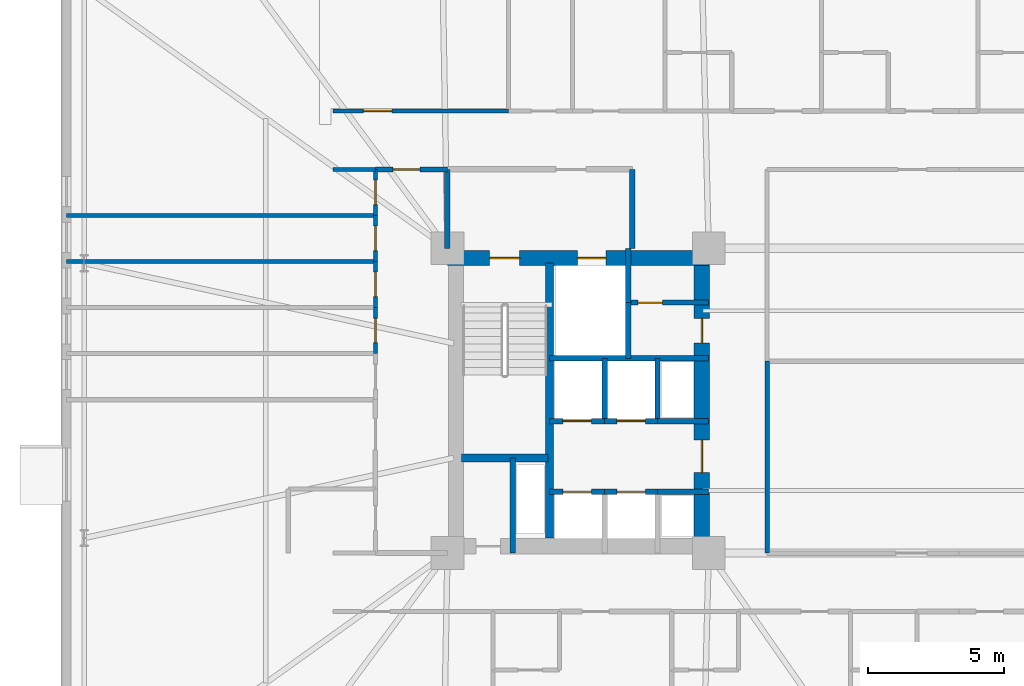
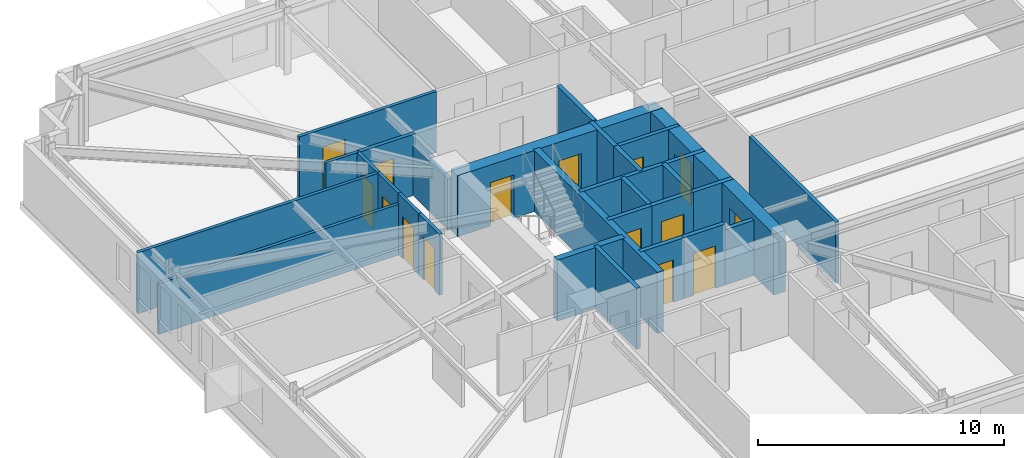
# One storey, part 15 of 22: 29 walls, 15 doors, 15 openings.
"""IFC4 building model written with IfcOpenShell, lengths in metres."""

from ifc_helpers import new_model, si_unit, direction, frame, frame_2d, origin, place, context, subcontext, project, spatial, rectangle, extrude, material, layer, layer_set, type_object, element, fill, save


model = new_model("IFC4")

# Units and contexts
model_context = context("Model", 3, precision=1e-05, world=origin(), true_north=direction((0.0, 1.0)))
body_context = subcontext(model_context, "Body", "Model", "MODEL_VIEW")
ifc_project = project(units=[si_unit("LENGTHUNIT", "METRE"), si_unit("AREAUNIT", "SQUARE_METRE"), si_unit("VOLUMEUNIT", "CUBIC_METRE"), si_unit("PLANEANGLEUNIT", "RADIAN"), si_unit("MASSUNIT", "GRAM", prefix="KILO")], contexts=[model_context])

# Site, building, storey
site_placement = place(None, origin())
site = spatial("IfcSite", under=ifc_project, at=site_placement, CompositionType="ELEMENT")
building_placement = place(site_placement, origin())
building = spatial("IfcBuilding", under=site, at=building_placement, Name="Qobustan Lattice House", CompositionType="ELEMENT")
storey_placement = place(building_placement, frame((0.0, 0.0, 60.5)))
storey = spatial("IfcBuildingStorey", under=building, at=storey_placement, Name="L16", CompositionType="ELEMENT", Elevation=60.5)

# Wall, openings, doors
ifc_material_1 = material(Name="Concrete C60/75", Category="concrete")
ifc_layer_1 = layer(ifc_material_1, 0.56005859375)
ifc_layer_set_1 = layer_set([ifc_layer_1], Name="Concrete C60/75")
wall_type_1 = type_object("IfcWallType", Name="WAL-CORE-600", PredefinedType="SHEAR", material=ifc_layer_set_1)
wall_1_placement = place(storey_placement, frame((-18.800048828125, 5.239990234375, 0.0), z_axis=(0.0, 0.0, 1.0), x_axis=(1.0, 0.0, 0.0)))
wall_1 = element("IfcWall", 1, at=wall_1_placement, inside=storey, type_object=wall_type_1, Name="L16 split-core shear wall CW-N", PredefinedType="SHEAR", context=body_context, shape_type="SweptSolid", body=[
    extrude(rectangle(XDim=9.60009765625, YDim=0.56005859375, at=frame_2d((4.800048828125, 0.0))), origin(), (0.0, 0.0, 1.0), 3.034912109375),
])
opening_1_placement = place(wall_1_placement, frame((1.550048828125, 0.0, 0.0)))
opening_1 = element("IfcOpeningElement", 2, at=opening_1_placement, cuts=wall_1, Name="Opening SD-01", PredefinedType="OPENING", context=body_context, shape_type="SweptSolid", body=[
    extrude(rectangle(XDim=1.10009765625, YDim=2.14990234375, at=frame_2d((0.550048828125, 1.074951171875))), frame((0.0, 0.2900390625, 0.0), z_axis=(0.0, -1.0, 0.0), x_axis=(1.0, 0.0, 0.0)), (0.0, 0.0, 1.0), 0.580078125),
])
opening_2_placement = place(wall_1_placement, frame((4.77490234375, 0.0, 0.0)))
opening_2 = element("IfcOpeningElement", 3, at=opening_2_placement, cuts=wall_1, Name="Opening LD-01", PredefinedType="OPENING", context=body_context, shape_type="SweptSolid", body=[
    extrude(rectangle(XDim=1.050048828125, YDim=2.10009765625, at=frame_2d((0.52490234375, 1.050048828125))), frame((0.0, 0.2900390625, 0.0), z_axis=(0.0, -1.0, 0.0), x_axis=(1.0, 0.0, 0.0)), (0.0, 0.0, 1.0), 0.580078125),
])
ifc_material_2 = material(Name="Persian walnut timber and steel frame door", Category="steel")
door_type_1 = type_object("IfcDoorType", Name="DOR-LIFT-LD-1050x2100", OperationType="NOTDEFINED", PredefinedType="DOOR", material=ifc_material_2)
door_1_placement = place(opening_2_placement, origin())
door_1 = element("IfcDoor", 4, at=door_1_placement, inside=storey, type_object=door_type_1, Name="L16 firefighting lift FF-W landing door", OperationType="DOUBLE_DOOR_SLIDING", OverallHeight=2.10009765625, OverallWidth=1.050048828125, PredefinedType="DOOR", context=body_context, shape_type="SweptSolid", body=[
    extrude(rectangle(XDim=1.050048828125, YDim=2.10009765625, at=frame_2d((0.52490234375, 1.050048828125))), frame((0.0, 0.02490234375, 0.0), z_axis=(0.0, -1.0, 0.0), x_axis=(1.0, 0.0, 0.0)), (0.0, 0.0, 1.0), 0.050048828125),
])
fill(opening_2, door_1)
ifc_material_3 = material(Name="Persian walnut timber and steel frame door", Category="steel")
door_type_2 = type_object("IfcDoorType", Name="DOR-STAIR-FD-1100x2150", OperationType="NOTDEFINED", PredefinedType="DOOR", material=ifc_material_3)
door_2_placement = place(opening_1_placement, origin())
door_2 = element("IfcDoor", 5, at=door_2_placement, inside=storey, type_object=door_type_2, Name="L16 exit stair ST-W1 fire door", OperationType="SINGLE_SWING_RIGHT", OverallHeight=2.14990234375, OverallWidth=1.10009765625, PredefinedType="DOOR", context=body_context, shape_type="SweptSolid", body=[
    extrude(rectangle(XDim=1.10009765625, YDim=2.14990234375, at=frame_2d((0.550048828125, 1.074951171875))), frame((0.0, 0.02490234375, 0.0), z_axis=(0.0, -1.0, 0.0), x_axis=(1.0, 0.0, 0.0)), (0.0, 0.0, 1.0), 0.050048828125),
])
fill(opening_1, door_2)

wall_2_placement = place(storey_placement, frame((-9.449951171875, -5.050048828125, 0.0), z_axis=(0.0, 0.0, 1.0), x_axis=(0.0, 1.0, 0.0)))
wall_2 = element("IfcWall", 6, at=wall_2_placement, inside=storey, type_object=wall_type_1, Name="L16 split-core shear wall CW-E", PredefinedType="SHEAR", context=body_context, shape_type="SweptSolid", body=[
    extrude(rectangle(XDim=10.10009765625, YDim=0.56005859375, at=frame_2d((5.050048828125, 0.0))), origin(), (0.0, 0.0, 1.0), 3.034912109375),
])
opening_3_placement = place(wall_2_placement, frame((7.175048828125, 0.0, 0.0)))
opening_3 = element("IfcOpeningElement", 7, at=opening_3_placement, cuts=wall_2, Name="Opening RD-01", PredefinedType="OPENING", context=body_context, shape_type="SweptSolid", body=[
    extrude(rectangle(XDim=0.89990234375, YDim=2.10009765625, at=frame_2d((0.449951171875, 1.050048828125))), frame((0.0, 0.2900390625, 0.0), z_axis=(0.0, -1.0, 0.0), x_axis=(1.0, 0.0, 0.0)), (0.0, 0.0, 1.0), 0.580078125),
])
opening_4_placement = place(wall_2_placement, frame((2.39990234375, 0.0, 0.0)))
opening_4 = element("IfcOpeningElement", 8, at=opening_4_placement, cuts=wall_2, Name="Opening FD-01", PredefinedType="OPENING", context=body_context, shape_type="SweptSolid", body=[
    extrude(rectangle(XDim=1.199951171875, YDim=2.14990234375, at=frame_2d((0.60009765625, 1.074951171875))), frame((0.0, 0.2900390625, 0.0), z_axis=(0.0, -1.0, 0.0), x_axis=(1.0, 0.0, 0.0)), (0.0, 0.0, 1.0), 0.580078125),
])
ifc_material_4 = material(Name="Persian walnut timber and steel frame door", Category="steel")
door_type_3 = type_object("IfcDoorType", Name="DOR-LOBBY-FD-1200x2150", OperationType="NOTDEFINED", PredefinedType="DOOR", material=ifc_material_4)
door_3_placement = place(opening_4_placement, origin())
door_3 = element("IfcDoor", 9, at=door_3_placement, inside=storey, type_object=door_type_3, Name="L16 West passenger lift lobby fire door", OperationType="SINGLE_SWING_LEFT", OverallHeight=2.14990234375, OverallWidth=1.199951171875, PredefinedType="DOOR", context=body_context, shape_type="SweptSolid", body=[
    extrude(rectangle(XDim=1.199951171875, YDim=2.14990234375, at=frame_2d((0.60009765625, 1.074951171875))), frame((0.0, 0.02490234375, 0.0), z_axis=(0.0, -1.0, 0.0), x_axis=(1.0, 0.0, 0.0)), (0.0, 0.0, 1.0), 0.050048828125),
])
fill(opening_4, door_3)
ifc_material_5 = material(Name="Persian walnut timber and steel frame door", Category="steel")
door_type_4 = type_object("IfcDoorType", Name="DOR-RISER-FD-900x2100", OperationType="NOTDEFINED", PredefinedType="DOOR", material=ifc_material_5)
door_4_placement = place(opening_3_placement, origin())
door_4 = element("IfcDoor", 10, at=door_4_placement, inside=storey, type_object=door_type_4, Name="L16 Core utility lobby fire door", OperationType="SINGLE_SWING_RIGHT", OverallHeight=2.10009765625, OverallWidth=0.89990234375, PredefinedType="DOOR", context=body_context, shape_type="SweptSolid", body=[
    extrude(rectangle(XDim=0.89990234375, YDim=2.10009765625, at=frame_2d((0.449951171875, 1.050048828125))), frame((0.0, 0.02490234375, 0.0), z_axis=(0.0, -1.0, 0.0), x_axis=(1.0, 0.0, 0.0)), (0.0, 0.0, 1.0), 0.050048828125),
])
fill(opening_3, door_4)

# Walls
ifc_material_6 = material(Name="Concrete C50/60", Category="concrete")
ifc_layer_2 = layer(ifc_material_6, 0.280029296875)
ifc_layer_set_2 = layer_set([ifc_layer_2], Name="Concrete C50/60")
wall_type_2 = type_object("IfcWallType", Name="WAL-CORE-SPINE-280", PredefinedType="SHEAR", material=ifc_layer_set_2)
wall_3_placement = place(storey_placement, frame((-15.050048828125, -5.050048828125, 0.0), z_axis=(0.0, 0.0, 1.0), x_axis=(0.0, 1.0, 0.0)))
element("IfcWall", 11, at=wall_3_placement, inside=storey, type_object=wall_type_2, Name="L16 split-core shear wall CW-M", PredefinedType="SHEAR", context=body_context, shape_type="SweptSolid", body=[
    extrude(rectangle(XDim=10.10009765625, YDim=0.300048828125, at=frame_2d((5.050048828125, 0.0))), origin(), (0.0, 0.0, 1.0), 3.034912109375),
])
wall_4_placement = place(storey_placement, frame((-18.280029296875, -2.110107421875, 0.0), z_axis=(0.0, 0.0, 1.0), x_axis=(1.0, 0.0, 0.0)))
element("IfcWall", 12, at=wall_4_placement, inside=storey, type_object=wall_type_2, Name="L16 split-core shear wall CW-ST", PredefinedType="SHEAR", context=body_context, shape_type="SweptSolid", body=[
    extrude(rectangle(XDim=3.179931640625, YDim=0.300048828125, at=frame_2d((1.58984375, 0.0))), origin(), (0.0, 0.0, 1.0), 3.034912109375),
])

# Wall, opening, door
ifc_material_7 = material(Name="Gypsum fireboard acoustic partition", Category="gypsum")
ifc_layer_3 = layer(ifc_material_7, 0.179931640625)
ifc_layer_set_3 = layer_set([ifc_layer_3], Name="Gypsum fireboard acoustic partition")
wall_type_3 = type_object("IfcWallType", Name="WAL-FIRE-180", PredefinedType="PARTITIONING", material=ifc_layer_set_3)
wall_5_placement = place(storey_placement, frame((-9.199951171875, 3.60009765625, 0.0), z_axis=(0.0, 0.0, 1.0), x_axis=(-1.0, 0.0, 0.0)))
wall_5 = element("IfcWall", 13, at=wall_5_placement, inside=storey, type_object=wall_type_3, Name="L16 interior partition 7", PredefinedType="PARTITIONING", context=body_context, shape_type="SweptSolid", body=[
    extrude(rectangle(XDim=2.949951171875, YDim=0.179931640625, at=frame_2d((1.47509765625, 0.0))), origin(), (0.0, 0.0, 1.0), 3.034912109375),
])
opening_5_placement = place(wall_5_placement, frame((1.699951171875, 0.0, 0.0)))
opening_5 = element("IfcOpeningElement", 14, at=opening_5_placement, cuts=wall_5, Name="Opening RD-01", PredefinedType="OPENING", context=body_context, shape_type="SweptSolid", body=[
    extrude(rectangle(XDim=0.89990234375, YDim=2.10009765625, at=frame_2d((0.449951171875, 1.050048828125))), frame((0.0, 0.099853515625, 0.0), z_axis=(0.0, -1.0, 0.0), x_axis=(1.0, 0.0, 0.0)), (0.0, 0.0, 1.0), 0.199951171875),
])
door_5_placement = place(opening_5_placement, origin())
door_5 = element("IfcDoor", 15, at=door_5_placement, inside=storey, type_object=door_type_4, Name="L16 Core utility lobby to Cleaner store door", OperationType="SINGLE_SWING_LEFT", OverallHeight=2.10009765625, OverallWidth=0.89990234375, PredefinedType="DOOR", context=body_context, shape_type="SweptSolid", body=[
    extrude(rectangle(XDim=0.89990234375, YDim=2.10009765625, at=frame_2d((0.449951171875, 1.050048828125))), frame((0.0, 0.02490234375, 0.0), z_axis=(0.0, -1.0, 0.0), x_axis=(1.0, 0.0, 0.0)), (0.0, 0.0, 1.0), 0.050048828125),
])
fill(opening_5, door_5)

wall_6_placement = place(storey_placement, frame((-18.800048828125, 8.5, 0.0), z_axis=(0.0, 0.0, 1.0), x_axis=(-1.0, 0.0, 0.0)))
wall_6 = element("IfcWall", 16, at=wall_6_placement, inside=storey, type_object=wall_type_3, Name="L16 interior partition 37", PredefinedType="PARTITIONING", context=body_context, shape_type="SweptSolid", body=[
    extrude(rectangle(XDim=2.64990234375, YDim=0.179931640625, at=frame_2d((1.324951171875, 0.0))), origin(), (0.0, 0.0, 1.0), 3.034912109375),
])
opening_6_placement = place(wall_6_placement, frame((1.0087890625, 0.0, 0.0)))
opening_6 = element("IfcOpeningElement", 17, at=opening_6_placement, cuts=wall_6, Name="Opening FD-02", PredefinedType="OPENING", context=body_context, shape_type="SweptSolid", body=[
    extrude(rectangle(XDim=1.0, YDim=2.14990234375, at=frame_2d((0.5, 1.074951171875))), frame((0.0, 0.099853515625, 0.0), z_axis=(0.0, -1.0, 0.0), x_axis=(1.0, 0.0, 0.0)), (0.0, 0.0, 1.0), 0.199951171875),
])
ifc_material_8 = material(Name="Persian walnut timber and steel frame door", Category="steel")
door_type_5 = type_object("IfcDoorType", Name="DOR-UNIT-FD-1000x2150", OperationType="NOTDEFINED", PredefinedType="DOOR", material=ifc_material_8)
door_6_placement = place(opening_6_placement, origin())
door_6 = element("IfcDoor", 18, at=door_6_placement, inside=storey, type_object=door_type_5, Name="L16 North-west floor corridor to Residence entrance hall L16W door", OperationType="SINGLE_SWING_LEFT", OverallHeight=2.14990234375, OverallWidth=1.0, PredefinedType="DOOR", context=body_context, shape_type="SweptSolid", body=[
    extrude(rectangle(XDim=1.0, YDim=2.14990234375, at=frame_2d((0.5, 1.074951171875))), frame((0.0, 0.02490234375, 0.0), z_axis=(0.0, -1.0, 0.0), x_axis=(1.0, 0.0, 0.0)), (0.0, 0.0, 1.0), 0.050048828125),
])
fill(opening_6, door_6)

# Wall
ifc_material_9 = material(Name="Acoustic twin-stud gypsum partition", Category="gypsum")
ifc_layer_4 = layer(ifc_material_9, 0.14990234375)
ifc_layer_set_4 = layer_set([ifc_layer_4], Name="Acoustic twin-stud gypsum partition")
wall_type_4 = type_object("IfcWallType", Name="WAL-PART-150", PredefinedType="PARTITIONING", material=ifc_layer_set_4)
wall_7_placement = place(storey_placement, frame((-21.449951171875, 8.5, 0.0), z_axis=(0.0, 0.0, 1.0), x_axis=(-1.0, 0.0, 0.0)))
element("IfcWall", 19, at=wall_7_placement, inside=storey, type_object=wall_type_4, Name="L16 interior partition 38", PredefinedType="PARTITIONING", context=body_context, shape_type="SweptSolid", body=[
    extrude(rectangle(XDim=1.550048828125, YDim=0.14990234375, at=frame_2d((0.77490234375, 0.0))), origin(), (0.0, 0.0, 1.0), 3.034912109375),
])

# Wall, opening, door
wall_8_placement = place(storey_placement, frame((-23.0, 10.64990234375, 0.0), z_axis=(0.0, 0.0, 1.0), x_axis=(1.0, 0.0, 0.0)))
wall_8 = element("IfcWall", 20, at=wall_8_placement, inside=storey, type_object=wall_type_4, Name="L16 interior partition 39", PredefinedType="PARTITIONING", context=body_context, shape_type="SweptSolid", body=[
    extrude(rectangle(XDim=6.449951171875, YDim=0.14990234375, at=frame_2d((3.22509765625, 0.0))), origin(), (0.0, 0.0, 1.0), 3.034912109375),
])
opening_7_placement = place(wall_8_placement, frame((1.110107421875, 0.0, 0.0)))
opening_7 = element("IfcOpeningElement", 21, at=opening_7_placement, cuts=wall_8, Name="Opening ID-02", PredefinedType="OPENING", context=body_context, shape_type="SweptSolid", body=[
    extrude(rectangle(XDim=1.050048828125, YDim=2.14990234375, at=frame_2d((0.52490234375, 1.074951171875))), frame((0.0, 0.0849609375, 0.0), z_axis=(0.0, -1.0, 0.0), x_axis=(1.0, 0.0, 0.0)), (0.0, 0.0, 1.0), 0.169921875),
])
ifc_material_10 = material(Name="Persian walnut timber and steel frame door", Category="steel")
door_type_6 = type_object("IfcDoorType", Name="DOR-STUDY-1050x2150", OperationType="NOTDEFINED", PredefinedType="DOOR", material=ifc_material_10)
door_7_placement = place(opening_7_placement, origin())
door_7 = element("IfcDoor", 22, at=door_7_placement, inside=storey, type_object=door_type_6, Name="L16 North-west floor corridor to Focus study room N1 door", OperationType="SINGLE_SWING_RIGHT", OverallHeight=2.14990234375, OverallWidth=1.050048828125, PredefinedType="DOOR", context=body_context, shape_type="SweptSolid", body=[
    extrude(rectangle(XDim=1.050048828125, YDim=2.14990234375, at=frame_2d((0.52490234375, 1.074951171875))), frame((0.0, 0.02490234375, 0.0), z_axis=(0.0, -1.0, 0.0), x_axis=(1.0, 0.0, 0.0)), (0.0, 0.0, 1.0), 0.050048828125),
])
fill(opening_7, door_7)

wall_9_placement = place(storey_placement, frame((-21.449951171875, 1.73193359375, 0.0), z_axis=(0.0, 0.0, 1.0), x_axis=(0.0, 1.0, 0.0)))
wall_9 = element("IfcWall", 23, at=wall_9_placement, inside=storey, type_object=wall_type_4, Name="L16 interior partition 85", PredefinedType="PARTITIONING", context=body_context, shape_type="SweptSolid", body=[
    extrude(rectangle(XDim=1.692138671875, YDim=0.14990234375, at=frame_2d((0.84619140625, 0.0))), origin(), (0.0, 0.0, 1.0), 3.034912109375),
])
opening_8_placement = place(wall_9_placement, frame((0.39599609375, 0.0, 0.0)))
opening_8 = element("IfcOpeningElement", 24, at=opening_8_placement, cuts=wall_9, Name="Opening WD-01", PredefinedType="OPENING", context=body_context, shape_type="SweptSolid", body=[
    extrude(rectangle(XDim=0.89990234375, YDim=2.10009765625, at=frame_2d((0.449951171875, 1.050048828125))), frame((0.0, 0.0849609375, 0.0), z_axis=(0.0, -1.0, 0.0), x_axis=(1.0, 0.0, 0.0)), (0.0, 0.0, 1.0), 0.169921875),
])
ifc_material_11 = material(Name="Persian walnut timber and steel frame door", Category="steel")
door_type_7 = type_object("IfcDoorType", Name="DOR-WET-900x2100", OperationType="NOTDEFINED", PredefinedType="DOOR", material=ifc_material_11)
door_8_placement = place(opening_8_placement, origin())
door_8 = element("IfcDoor", 25, at=door_8_placement, inside=storey, type_object=door_type_7, Name="L16 Residence entrance hall L16W to Cluster bedroom L16W2 door", OperationType="SINGLE_SWING_LEFT", OverallHeight=2.10009765625, OverallWidth=0.89990234375, PredefinedType="DOOR", context=body_context, shape_type="SweptSolid", body=[
    extrude(rectangle(XDim=0.89990234375, YDim=2.10009765625, at=frame_2d((0.449951171875, 1.050048828125))), frame((0.0, 0.02490234375, 0.0), z_axis=(0.0, -1.0, 0.0), x_axis=(1.0, 0.0, 0.0)), (0.0, 0.0, 1.0), 0.050048828125),
])
fill(opening_8, door_8)

wall_10_placement = place(storey_placement, frame((-21.449951171875, 3.424072265625, 0.0), z_axis=(0.0, 0.0, 1.0), x_axis=(0.0, 1.0, 0.0)))
wall_10 = element("IfcWall", 26, at=wall_10_placement, inside=storey, type_object=wall_type_4, Name="L16 interior partition 86", PredefinedType="PARTITIONING", context=body_context, shape_type="SweptSolid", body=[
    extrude(rectangle(XDim=1.69189453125, YDim=0.14990234375, at=frame_2d((0.845947265625, 0.0))), origin(), (0.0, 0.0, 1.0), 3.034912109375),
])
opening_9_placement = place(wall_10_placement, frame((0.39599609375, 0.0, 0.0)))
opening_9 = element("IfcOpeningElement", 27, at=opening_9_placement, cuts=wall_10, Name="Opening WD-01", PredefinedType="OPENING", context=body_context, shape_type="SweptSolid", body=[
    extrude(rectangle(XDim=0.89990234375, YDim=2.10009765625, at=frame_2d((0.449951171875, 1.050048828125))), frame((0.0, 0.0849609375, 0.0), z_axis=(0.0, -1.0, 0.0), x_axis=(1.0, 0.0, 0.0)), (0.0, 0.0, 1.0), 0.169921875),
])
door_9_placement = place(opening_9_placement, origin())
door_9 = element("IfcDoor", 28, at=door_9_placement, inside=storey, type_object=door_type_7, Name="L16 Residence entrance hall L16W to Cluster bedroom L16W3 door", OperationType="SINGLE_SWING_RIGHT", OverallHeight=2.10009765625, OverallWidth=0.89990234375, PredefinedType="DOOR", context=body_context, shape_type="SweptSolid", body=[
    extrude(rectangle(XDim=0.89990234375, YDim=2.10009765625, at=frame_2d((0.449951171875, 1.050048828125))), frame((0.0, 0.02490234375, 0.0), z_axis=(0.0, -1.0, 0.0), x_axis=(1.0, 0.0, 0.0)), (0.0, 0.0, 1.0), 0.050048828125),
])
fill(opening_9, door_9)

wall_11_placement = place(storey_placement, frame((-21.449951171875, 5.115966796875, 0.0), z_axis=(0.0, 0.0, 1.0), x_axis=(0.0, 1.0, 0.0)))
wall_11 = element("IfcWall", 29, at=wall_11_placement, inside=storey, type_object=wall_type_4, Name="L16 interior partition 87", PredefinedType="PARTITIONING", context=body_context, shape_type="SweptSolid", body=[
    extrude(rectangle(XDim=1.692138671875, YDim=0.14990234375, at=frame_2d((0.84619140625, 0.0))), origin(), (0.0, 0.0, 1.0), 3.034912109375),
])
opening_10_placement = place(wall_11_placement, frame((0.39599609375, 0.0, 0.0)))
opening_10 = element("IfcOpeningElement", 30, at=opening_10_placement, cuts=wall_11, Name="Opening WD-01", PredefinedType="OPENING", context=body_context, shape_type="SweptSolid", body=[
    extrude(rectangle(XDim=0.89990234375, YDim=2.10009765625, at=frame_2d((0.449951171875, 1.050048828125))), frame((0.0, 0.0849609375, 0.0), z_axis=(0.0, -1.0, 0.0), x_axis=(1.0, 0.0, 0.0)), (0.0, 0.0, 1.0), 0.169921875),
])
door_10_placement = place(opening_10_placement, origin())
door_10 = element("IfcDoor", 31, at=door_10_placement, inside=storey, type_object=door_type_7, Name="L16 Residence entrance hall L16W to Cluster bedroom L16W4 door", OperationType="SINGLE_SWING_LEFT", OverallHeight=2.10009765625, OverallWidth=0.89990234375, PredefinedType="DOOR", context=body_context, shape_type="SweptSolid", body=[
    extrude(rectangle(XDim=0.89990234375, YDim=2.10009765625, at=frame_2d((0.449951171875, 1.050048828125))), frame((0.0, 0.02490234375, 0.0), z_axis=(0.0, -1.0, 0.0), x_axis=(1.0, 0.0, 0.0)), (0.0, 0.0, 1.0), 0.050048828125),
])
fill(opening_10, door_10)

wall_12_placement = place(storey_placement, frame((-21.449951171875, 6.80810546875, 0.0), z_axis=(0.0, 0.0, 1.0), x_axis=(0.0, 1.0, 0.0)))
wall_12 = element("IfcWall", 32, at=wall_12_placement, inside=storey, type_object=wall_type_4, Name="L16 interior partition 88", PredefinedType="PARTITIONING", context=body_context, shape_type="SweptSolid", body=[
    extrude(rectangle(XDim=1.69189453125, YDim=0.14990234375, at=frame_2d((0.845947265625, 0.0))), origin(), (0.0, 0.0, 1.0), 3.034912109375),
])
opening_11_placement = place(wall_12_placement, frame((0.39599609375, 0.0, 0.0)))
opening_11 = element("IfcOpeningElement", 33, at=opening_11_placement, cuts=wall_12, Name="Opening WD-01", PredefinedType="OPENING", context=body_context, shape_type="SweptSolid", body=[
    extrude(rectangle(XDim=0.89990234375, YDim=2.10009765625, at=frame_2d((0.449951171875, 1.050048828125))), frame((0.0, 0.0849609375, 0.0), z_axis=(0.0, -1.0, 0.0), x_axis=(1.0, 0.0, 0.0)), (0.0, 0.0, 1.0), 0.169921875),
])
door_11_placement = place(opening_11_placement, origin())
door_11 = element("IfcDoor", 34, at=door_11_placement, inside=storey, type_object=door_type_7, Name="L16 Residence entrance hall L16W to Cluster bedroom L16W5 door", OperationType="SINGLE_SWING_RIGHT", OverallHeight=2.10009765625, OverallWidth=0.89990234375, PredefinedType="DOOR", context=body_context, shape_type="SweptSolid", body=[
    extrude(rectangle(XDim=0.89990234375, YDim=2.10009765625, at=frame_2d((0.449951171875, 1.050048828125))), frame((0.0, 0.02490234375, 0.0), z_axis=(0.0, -1.0, 0.0), x_axis=(1.0, 0.0, 0.0)), (0.0, 0.0, 1.0), 0.050048828125),
])
fill(opening_11, door_11)

# Walls
wall_13_placement = place(storey_placement, frame((-32.800048828125, 5.115966796875, 0.0), z_axis=(0.0, 0.0, 1.0), x_axis=(1.0, 0.0, 0.0)))
element("IfcWall", 35, at=wall_13_placement, inside=storey, type_object=wall_type_4, Name="L16 interior partition 94", PredefinedType="PARTITIONING", context=body_context, shape_type="SweptSolid", body=[
    extrude(rectangle(XDim=11.35009765625, YDim=0.14990234375, at=frame_2d((5.675048828125, 0.0))), origin(), (0.0, 0.0, 1.0), 2.52001953125),
])
wall_14_placement = place(storey_placement, frame((-32.800048828125, 6.80810546875, 0.0), z_axis=(0.0, 0.0, 1.0), x_axis=(1.0, 0.0, 0.0)))
element("IfcWall", 36, at=wall_14_placement, inside=storey, type_object=wall_type_4, Name="L16 interior partition 95", PredefinedType="PARTITIONING", context=body_context, shape_type="SweptSolid", body=[
    extrude(rectangle(XDim=11.35009765625, YDim=0.14990234375, at=frame_2d((5.675048828125, 0.0))), origin(), (0.0, 0.0, 1.0), 3.034912109375),
])
ifc_material_12 = material(Name="High-mass acoustic twin-stud partition", Category="gypsum")
ifc_layer_5 = layer(ifc_material_12, 0.1650390625)
ifc_layer_set_5 = layer_set([ifc_layer_5], Name="High-mass acoustic twin-stud partition")
wall_type_5 = type_object("IfcWallType", Name="WAL-PART-165", PredefinedType="PARTITIONING", material=ifc_layer_set_5)
wall_15_placement = place(storey_placement, frame((-7.050048828125, 1.449951171875, 0.0), z_axis=(0.0, 0.0, 1.0), x_axis=(0.0, -1.0, 0.0)))
element("IfcWall", 37, at=wall_15_placement, inside=storey, type_object=wall_type_5, Name="L16 interior partition 78", PredefinedType="PARTITIONING", context=body_context, shape_type="SweptSolid", body=[
    extrude(rectangle(XDim=7.050048828125, YDim=0.1650390625, at=frame_2d((3.52490234375, 0.0))), origin(), (0.0, 0.0, 1.0), 3.034912109375),
])
ifc_material_13 = material(Name="Two-hour gypsum fireboard acoustic partition", Category="gypsum")
ifc_layer_6 = layer(ifc_material_13, 0.199951171875)
ifc_layer_set_6 = layer_set([ifc_layer_6], Name="Two-hour gypsum fireboard acoustic partition")
wall_type_6 = type_object("IfcWallType", Name="WAL-PROT-200", PredefinedType="PARTITIONING", material=ifc_layer_set_6)
wall_16_placement = place(storey_placement, frame((-12.0, 5.60009765625, 0.0), z_axis=(0.0, 0.0, 1.0), x_axis=(0.0, 1.0, 0.0)))
element("IfcWall", 38, at=wall_16_placement, inside=storey, type_object=wall_type_6, Name="L16 interior partition 5", PredefinedType="PARTITIONING", context=body_context, shape_type="SweptSolid", body=[
    extrude(rectangle(XDim=2.89990234375, YDim=0.199951171875, at=frame_2d((1.449951171875, 0.0))), origin(), (0.0, 0.0, 1.0), 3.034912109375),
])
wall_17_placement = place(storey_placement, frame((-18.800048828125, 8.5, 0.0), z_axis=(0.0, 0.0, 1.0), x_axis=(0.0, -1.0, 0.0)))
element("IfcWall", 39, at=wall_17_placement, inside=storey, type_object=wall_type_6, Name="L16 interior partition 6", PredefinedType="PARTITIONING", context=body_context, shape_type="SweptSolid", body=[
    extrude(rectangle(XDim=2.89990234375, YDim=0.199951171875, at=frame_2d((1.449951171875, 0.0))), origin(), (0.0, 0.0, 1.0), 2.52001953125),
])
ifc_material_14 = material(Name="Concrete C40/50", Category="concrete")
ifc_layer_7 = layer(ifc_material_14, 0.199951171875)
ifc_layer_set_7 = layer_set([ifc_layer_7], Name="Concrete C40/50")
wall_type_7 = type_object("IfcWallType", Name="WAL-SHAFT-200", PredefinedType="PARTITIONING", material=ifc_layer_set_7)
wall_18_placement = place(storey_placement, frame((-16.39990234375, -5.60009765625, 0.0), z_axis=(0.0, 0.0, 1.0), x_axis=(0.0, 1.0, 0.0)))
element("IfcWall", 40, at=wall_18_placement, inside=storey, type_object=wall_type_7, Name="L16 interior partition 1", PredefinedType="PARTITIONING", context=body_context, shape_type="SweptSolid", body=[
    extrude(rectangle(XDim=3.489990234375, YDim=0.199951171875, at=frame_2d((1.7451171875, 0.0))), origin(), (0.0, 0.0, 1.0), 3.034912109375),
])
wall_19_placement = place(storey_placement, frame((-12.14990234375, 1.550048828125, 0.0), z_axis=(0.0, 0.0, 1.0), x_axis=(0.0, 1.0, 0.0)))
element("IfcWall", 41, at=wall_19_placement, inside=storey, type_object=wall_type_7, Name="L16 interior partition 2", PredefinedType="PARTITIONING", context=body_context, shape_type="SweptSolid", body=[
    extrude(rectangle(XDim=2.050048828125, YDim=0.199951171875, at=frame_2d((1.02490234375, 0.0))), origin(), (0.0, 0.0, 1.0), 3.034912109375),
])
wall_20_placement = place(storey_placement, frame((-12.14990234375, 3.60009765625, 0.0), z_axis=(0.0, 0.0, 1.0), x_axis=(0.0, 1.0, 0.0)))
element("IfcWall", 42, at=wall_20_placement, inside=storey, type_object=wall_type_7, Name="L16 interior partition 3", PredefinedType="PARTITIONING", context=body_context, shape_type="SweptSolid", body=[
    extrude(rectangle(XDim=2.0, YDim=0.199951171875, at=frame_2d((1.0, 0.0))), origin(), (0.0, 0.0, 1.0), 3.034912109375),
])

# Wall, opening, door
wall_21_placement = place(storey_placement, frame((-15.050048828125, -3.35009765625, 0.0), z_axis=(0.0, 0.0, 1.0), x_axis=(1.0, 0.0, 0.0)))
wall_21 = element("IfcWall", 43, at=wall_21_placement, inside=storey, type_object=wall_type_7, Name="L16 interior partition 9", PredefinedType="PARTITIONING", context=body_context, shape_type="SweptSolid", body=[
    extrude(rectangle(XDim=2.030029296875, YDim=0.199951171875, at=frame_2d((1.01513671875, 0.0))), origin(), (0.0, 0.0, 1.0), 3.034912109375),
])
opening_12_placement = place(wall_21_placement, frame((0.489990234375, 0.0, 0.0)))
opening_12 = element("IfcOpeningElement", 44, at=opening_12_placement, cuts=wall_21, Name="Opening LD-01", PredefinedType="OPENING", context=body_context, shape_type="SweptSolid", body=[
    extrude(rectangle(XDim=1.050048828125, YDim=2.10009765625, at=frame_2d((0.52490234375, 1.050048828125))), frame((0.0, 0.10986328125, 0.0), z_axis=(0.0, -1.0, 0.0), x_axis=(1.0, 0.0, 0.0)), (0.0, 0.0, 1.0), 0.219970703125),
])
door_12_placement = place(opening_12_placement, origin())
door_12 = element("IfcDoor", 45, at=door_12_placement, inside=storey, type_object=door_type_1, Name="L16 lift landing door", OperationType="DOUBLE_DOOR_SLIDING", OverallHeight=2.10009765625, OverallWidth=1.050048828125, PredefinedType="DOOR", context=body_context, shape_type="SweptSolid", body=[
    extrude(rectangle(XDim=1.050048828125, YDim=2.10009765625, at=frame_2d((0.52490234375, 1.050048828125))), frame((0.0, 0.02490234375, 0.0), z_axis=(0.0, -1.0, 0.0), x_axis=(1.0, 0.0, 0.0)), (0.0, 0.0, 1.0), 0.050048828125),
])
fill(opening_12, door_12)

wall_22_placement = place(storey_placement, frame((-13.02001953125, -3.35009765625, 0.0), z_axis=(0.0, 0.0, 1.0), x_axis=(1.0, 0.0, 0.0)))
wall_22 = element("IfcWall", 46, at=wall_22_placement, inside=storey, type_object=wall_type_7, Name="L16 interior partition 10", PredefinedType="PARTITIONING", context=body_context, shape_type="SweptSolid", body=[
    extrude(rectangle(XDim=1.93994140625, YDim=0.199951171875, at=frame_2d((0.969970703125, 0.0))), origin(), (0.0, 0.0, 1.0), 3.034912109375),
])
opening_13_placement = place(wall_22_placement, frame((0.445068359375, 0.0, 0.0)))
opening_13 = element("IfcOpeningElement", 47, at=opening_13_placement, cuts=wall_22, Name="Opening LD-01", PredefinedType="OPENING", context=body_context, shape_type="SweptSolid", body=[
    extrude(rectangle(XDim=1.050048828125, YDim=2.10009765625, at=frame_2d((0.52490234375, 1.050048828125))), frame((0.0, 0.10986328125, 0.0), z_axis=(0.0, -1.0, 0.0), x_axis=(1.0, 0.0, 0.0)), (0.0, 0.0, 1.0), 0.219970703125),
])
door_13_placement = place(opening_13_placement, origin())
door_13 = element("IfcDoor", 48, at=door_13_placement, inside=storey, type_object=door_type_1, Name="L16 lift landing door", OperationType="DOUBLE_DOOR_SLIDING", OverallHeight=2.10009765625, OverallWidth=1.050048828125, PredefinedType="DOOR", context=body_context, shape_type="SweptSolid", body=[
    extrude(rectangle(XDim=1.050048828125, YDim=2.10009765625, at=frame_2d((0.52490234375, 1.050048828125))), frame((0.0, 0.02490234375, 0.0), z_axis=(0.0, -1.0, 0.0), x_axis=(1.0, 0.0, 0.0)), (0.0, 0.0, 1.0), 0.050048828125),
])
fill(opening_13, door_13)

# Wall
wall_23_placement = place(storey_placement, frame((-11.080078125, -3.35009765625, 0.0), z_axis=(0.0, 0.0, 1.0), x_axis=(1.0, 0.0, 0.0)))
element("IfcWall", 49, at=wall_23_placement, inside=storey, type_object=wall_type_7, Name="L16 interior partition 11", PredefinedType="PARTITIONING", context=body_context, shape_type="SweptSolid", body=[
    extrude(rectangle(XDim=1.880126953125, YDim=0.199951171875, at=frame_2d((0.93994140625, 0.0))), origin(), (0.0, 0.0, 1.0), 2.75),
])

# Wall, opening, door
wall_24_placement = place(storey_placement, frame((-13.02001953125, -0.75, 0.0), z_axis=(0.0, 0.0, 1.0), x_axis=(-1.0, 0.0, 0.0)))
wall_24 = element("IfcWall", 50, at=wall_24_placement, inside=storey, type_object=wall_type_7, Name="L16 interior partition 12", PredefinedType="PARTITIONING", context=body_context, shape_type="SweptSolid", body=[
    extrude(rectangle(XDim=2.030029296875, YDim=0.199951171875, at=frame_2d((1.01513671875, 0.0))), origin(), (0.0, 0.0, 1.0), 3.034912109375),
])
opening_14_placement = place(wall_24_placement, frame((0.489990234375, 0.0, 0.0)))
opening_14 = element("IfcOpeningElement", 51, at=opening_14_placement, cuts=wall_24, Name="Opening LD-01", PredefinedType="OPENING", context=body_context, shape_type="SweptSolid", body=[
    extrude(rectangle(XDim=1.050048828125, YDim=2.10009765625, at=frame_2d((0.52490234375, 1.050048828125))), frame((0.0, 0.10986328125, 0.0), z_axis=(0.0, -1.0, 0.0), x_axis=(1.0, 0.0, 0.0)), (0.0, 0.0, 1.0), 0.219970703125),
])
door_14_placement = place(opening_14_placement, origin())
door_14 = element("IfcDoor", 52, at=door_14_placement, inside=storey, type_object=door_type_1, Name="L16 lift landing door", OperationType="DOUBLE_DOOR_SLIDING", OverallHeight=2.10009765625, OverallWidth=1.050048828125, PredefinedType="DOOR", context=body_context, shape_type="SweptSolid", body=[
    extrude(rectangle(XDim=1.050048828125, YDim=2.10009765625, at=frame_2d((0.52490234375, 1.050048828125))), frame((0.0, 0.02490234375, 0.0), z_axis=(0.0, -1.0, 0.0), x_axis=(1.0, 0.0, 0.0)), (0.0, 0.0, 1.0), 0.050048828125),
])
fill(opening_14, door_14)

wall_25_placement = place(storey_placement, frame((-11.080078125, -0.75, 0.0), z_axis=(0.0, 0.0, 1.0), x_axis=(-1.0, 0.0, 0.0)))
wall_25 = element("IfcWall", 53, at=wall_25_placement, inside=storey, type_object=wall_type_7, Name="L16 interior partition 13", PredefinedType="PARTITIONING", context=body_context, shape_type="SweptSolid", body=[
    extrude(rectangle(XDim=1.93994140625, YDim=0.199951171875, at=frame_2d((0.969970703125, 0.0))), origin(), (0.0, 0.0, 1.0), 3.034912109375),
])
opening_15_placement = place(wall_25_placement, frame((0.445068359375, 0.0, 0.0)))
opening_15 = element("IfcOpeningElement", 54, at=opening_15_placement, cuts=wall_25, Name="Opening LD-01", PredefinedType="OPENING", context=body_context, shape_type="SweptSolid", body=[
    extrude(rectangle(XDim=1.050048828125, YDim=2.10009765625, at=frame_2d((0.52490234375, 1.050048828125))), frame((0.0, 0.10986328125, 0.0), z_axis=(0.0, -1.0, 0.0), x_axis=(1.0, 0.0, 0.0)), (0.0, 0.0, 1.0), 0.219970703125),
])
door_15_placement = place(opening_15_placement, origin())
door_15 = element("IfcDoor", 55, at=door_15_placement, inside=storey, type_object=door_type_1, Name="L16 lift landing door", OperationType="DOUBLE_DOOR_SLIDING", OverallHeight=2.10009765625, OverallWidth=1.050048828125, PredefinedType="DOOR", context=body_context, shape_type="SweptSolid", body=[
    extrude(rectangle(XDim=1.050048828125, YDim=2.10009765625, at=frame_2d((0.52490234375, 1.050048828125))), frame((0.0, 0.02490234375, 0.0), z_axis=(0.0, -1.0, 0.0), x_axis=(1.0, 0.0, 0.0)), (0.0, 0.0, 1.0), 0.050048828125),
])
fill(opening_15, door_15)

# Walls
wall_26_placement = place(storey_placement, frame((-9.199951171875, -0.75, 0.0), z_axis=(0.0, 0.0, 1.0), x_axis=(-1.0, 0.0, 0.0)))
element("IfcWall", 56, at=wall_26_placement, inside=storey, type_object=wall_type_7, Name="L16 interior partition 14", PredefinedType="PARTITIONING", context=body_context, shape_type="SweptSolid", body=[
    extrude(rectangle(XDim=1.880126953125, YDim=0.199951171875, at=frame_2d((0.93994140625, 0.0))), origin(), (0.0, 0.0, 1.0), 3.034912109375),
])
for number, where, z_axis, x_axis, name in (
    (57, (-13.02001953125, -0.75, 0.0), (0.0, 0.0, 1.0), (0.0, 1.0, 0.0), "L16 interior partition 18"),
    (58, (-11.080078125, -0.75, 0.0), (0.0, 0.0, 1.0), (0.0, 1.0, 0.0), "L16 interior partition 19"),
):
    element("IfcWall", number, at=place(storey_placement, frame(where, z_axis=z_axis, x_axis=x_axis)), inside=storey, type_object=wall_type_7, Name=name, PredefinedType="PARTITIONING", context=body_context, shape_type="SweptSolid", body=[
        extrude(rectangle(XDim=2.300048828125, YDim=0.199951171875, at=frame_2d((1.14990234375, 0.0))), origin(), (0.0, 0.0, 1.0), 3.034912109375),
    ])
wall_27_placement = place(storey_placement, frame((-15.050048828125, 1.550048828125, 0.0), z_axis=(0.0, 0.0, 1.0), x_axis=(1.0, 0.0, 0.0)))
element("IfcWall", 59, at=wall_27_placement, inside=storey, type_object=wall_type_7, Name="L16 interior partition 156", PredefinedType="PARTITIONING", context=body_context, shape_type="SweptSolid", body=[
    extrude(rectangle(XDim=5.85009765625, YDim=0.199951171875, at=frame_2d((2.925048828125, 0.0))), origin(), (0.0, 0.0, 1.0), 3.034912109375),
])

save(model, "model.ifc")
